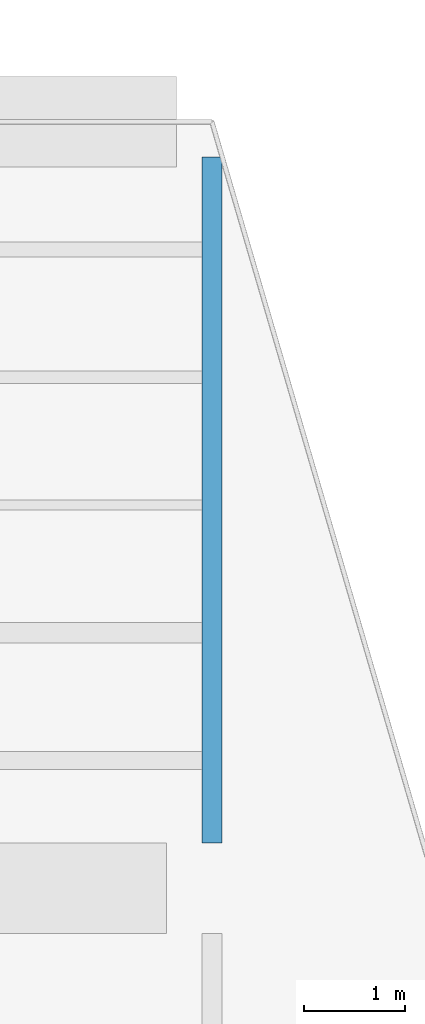
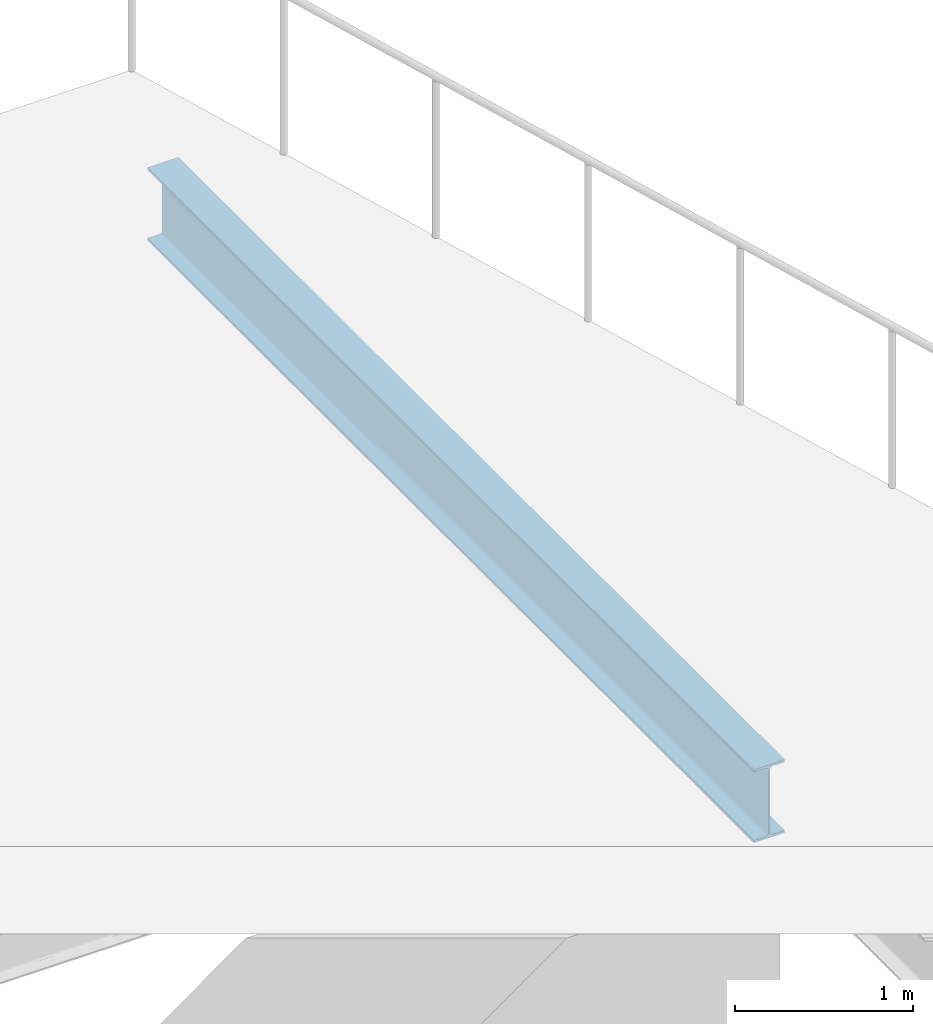
# One storey, part 42 of 135: 1 beam.
"""IFC4 building model written with IfcOpenShell, lengths in metres."""

import ifcopenshell
import ifcopenshell.guid

model = None  # the IFC model being written
_history = None  # IfcOwnerHistory: only IFC2X3 demands one
_inside = {}  # id of a spatial element -> (the spatial element, [elements in it])
_under = {}  # id of a project, library or spatial element -> (it, [spatial elements below it])
_declared = {}  # id of a project -> (the project, [libraries it declares])
_typed = {}  # id of a type object -> (the type object, [elements of that type])
_made_of = {}  # id of a material, layer set ... -> (it, [elements and type objects made of it])


def new_model(schema):
    """Start an empty IFC model of exactly this schema.

    Asked for "IFC4X3", IfcOpenShell would pick the latest addendum, in which some entities
    have other attributes; the version numbers below select the first issue.
    IFC2X3 requires an IfcOwnerHistory on every rooted entity: one is made here for all.
    """
    global model, _history
    if schema == "IFC4X3":
        model = ifcopenshell.file(schema_version=(4, 3, 0, 0))
    else:
        model = ifcopenshell.file(schema=schema)
    _inside.clear()
    _under.clear()
    _declared.clear()
    _typed.clear()
    _made_of.clear()
    _history = None
    if model.schema == "IFC2X3":
        org = make("IfcOrganization", Name="unknown")
        user = make(
            "IfcPersonAndOrganization",
            ThePerson=make("IfcPerson", FamilyName="unknown"),
            TheOrganization=org,
        )
        app = make(
            "IfcApplication",
            ApplicationDeveloper=org,
            Version="unknown",
            ApplicationFullName="unknown",
            ApplicationIdentifier="unknown",
        )
        _history = make(
            "IfcOwnerHistory",
            OwningUser=user,
            OwningApplication=app,
            ChangeAction="ADDED",
            CreationDate=0,
        )
    return model


def make(cls, **values):
    """One entity of the class cls with the attributes given. An attribute that is None is left unset."""
    return model.create_entity(
        cls, **{name: value for name, value in values.items() if value is not None}
    )


def rooted(cls, **values):
    """An entity with a GlobalId (a new one), such as an element, a storey or a relation."""
    return make(cls, GlobalId=ifcopenshell.guid.new(), OwnerHistory=_history, **values)


def si_unit(unit_type, name, prefix=None):
    """IfcSIUnit, for example si_unit("LENGTHUNIT", "METRE", prefix="MILLI")."""
    return make("IfcSIUnit", UnitType=unit_type, Prefix=prefix, Name=name)


def assignment(units):
    """IfcUnitAssignment: the units of a project."""
    return None if units is None else make("IfcUnitAssignment", Units=units)


def point(xyz):
    """IfcCartesianPoint."""
    return None if xyz is None else make("IfcCartesianPoint", Coordinates=xyz)


def direction(xyz):
    """IfcDirection."""
    return None if xyz is None else make("IfcDirection", DirectionRatios=xyz)


def frame(location, z_axis=None, x_axis=None):
    """IfcAxis2Placement3D, a coordinate frame: its origin and axes. An axis left out is left unset."""
    return make(
        "IfcAxis2Placement3D",
        Location=point(location),
        Axis=direction(z_axis),
        RefDirection=direction(x_axis),
    )


def frame_2d(location, x_axis=None):
    """IfcAxis2Placement2D, a coordinate frame in the plane: its origin and x axis."""
    return make(
        "IfcAxis2Placement2D", Location=point(location), RefDirection=direction(x_axis)
    )


def origin():
    """The frame at (0, 0, 0) with its axes left unset."""
    return frame((0.0, 0.0, 0.0))


def origin_2d():
    """The frame at (0, 0) in the plane with its x axis left unset."""
    return frame_2d((0.0, 0.0))


def place(relative_to, where):
    """IfcLocalPlacement: puts the frame where relative to a parent placement (None: the world)."""
    return make(
        "IfcLocalPlacement", PlacementRelTo=relative_to, RelativePlacement=where
    )


def context(
    kind, dimensions, precision=None, world=None, true_north=None, identifier=None
):
    """IfcGeometricRepresentationContext, for example the 3D "Model" context."""
    return make(
        "IfcGeometricRepresentationContext",
        ContextIdentifier=identifier,
        ContextType=kind,
        CoordinateSpaceDimension=dimensions,
        Precision=precision,
        WorldCoordinateSystem=world,
        TrueNorth=true_north,
    )


def subcontext(parent, identifier, kind, view, scale=None):
    """IfcGeometricRepresentationSubContext, for example "Body" below "Model"."""
    return make(
        "IfcGeometricRepresentationSubContext",
        ContextIdentifier=identifier,
        ContextType=kind,
        ParentContext=parent,
        TargetScale=scale,
        TargetView=view,
    )


def project(units=None, contexts=None):
    """IfcProject with its units and contexts."""
    return rooted(
        "IfcProject",
        Name="project",
        RepresentationContexts=contexts,
        UnitsInContext=assignment(units),
    )


def spatial(cls, under=None, at=None, **own):
    """A site, building, storey or space (cls), placed at a placement, below another one or the project."""
    s = rooted(cls, ObjectPlacement=at, **own)
    if under is not None:
        _under.setdefault(under.id(), (under, []))[1].append(s)
    return s


def profile(cls, at=None, kind="AREA", **sizes):
    """A parametric profile (cls). Its sizes go by their IFC names, for example OverallWidth=200.0."""
    return make(cls, ProfileType=kind, Position=at, **sizes)


def i_section(**sizes):
    """IfcIShapeProfileDef."""
    return profile("IfcIShapeProfileDef", **sizes)


def extrude(swept, where, along, depth):
    """IfcExtrudedAreaSolid: the profile swept, set in the frame where, extruded along a direction by depth."""
    return make(
        "IfcExtrudedAreaSolid",
        SweptArea=swept,
        Position=where,
        ExtrudedDirection=direction(along),
        Depth=depth,
    )


def shape(context_of_items, identifier, shape_type, items):
    """IfcShapeRepresentation: the items that make up one representation, for example the "Body"."""
    return make(
        "IfcShapeRepresentation",
        ContextOfItems=context_of_items,
        RepresentationIdentifier=identifier,
        RepresentationType=shape_type,
        Items=items,
    )


def material(Name=None, Category=None):
    """IfcMaterial."""
    return make("IfcMaterial", Name=Name, Category=Category)


def material_profile(
    of_material, cross_section, Name=None, Category=None, Priority=None
):
    """IfcMaterialProfile: a cross section and its material."""
    return make(
        "IfcMaterialProfile",
        Name=Name,
        Material=of_material,
        Profile=cross_section,
        Priority=Priority,
        Category=Category,
    )


def profile_set(profiles, Name=None, composite=None):
    """IfcMaterialProfileSet."""
    return make(
        "IfcMaterialProfileSet",
        Name=Name,
        MaterialProfiles=profiles,
        CompositeProfile=composite,
    )


def made_of(thing, what):
    """Note that an element or type object is made of a material, layer set ...; save() writes the relation."""
    if what is not None:
        _made_of.setdefault(what.id(), (what, []))[1].append(thing)
    return thing


def type_object(cls, material=None, **own):
    """A type object (cls), such as IfcWallType, which elements share."""
    return made_of(rooted(cls, **own), material)


def element(
    cls,
    number,
    at=None,
    inside=None,
    cuts=None,
    type_object=None,
    material=None,
    context=None,
    identifier="Body",
    shape_type=None,
    held_by="IfcProductDefinitionShape",
    body=None,
    shapes=None,
    **own,
):
    """One element of the class cls, such as IfcWall. Its Tag is "e" and its number.

    at: its placement. inside: the storey or other place that contains it. cuts: it is an
    opening in that element (IfcRelVoidsElement). A single representation is given by context,
    identifier, shape_type and body (its items); several are given by shapes. held_by: the class
    of the entity that holds the representations. save() writes the other relations.
    """
    e = rooted(cls, Tag="e%d" % number, ObjectPlacement=at, **own)
    if body is not None:
        shapes = [shape(context, identifier, shape_type, body)]
    if shapes is not None:
        e.Representation = make(held_by, Representations=shapes)
    if inside is not None:
        _inside.setdefault(inside.id(), (inside, []))[1].append(e)
    if cuts is not None:
        rooted(
            "IfcRelVoidsElement", RelatingBuildingElement=cuts, RelatedOpeningElement=e
        )
    if type_object is not None:
        _typed.setdefault(type_object.id(), (type_object, []))[1].append(e)
    return made_of(e, material)


def aggregate(whole, parts):
    """IfcRelAggregates: a whole, such as a stair, and the parts it consists of."""
    return rooted("IfcRelAggregates", RelatingObject=whole, RelatedObjects=parts)


def save(model, path):
    """Write the relations noted so far, then the file.

    IfcRelAggregates (storeys below a building ...), IfcRelContainedInSpatialStructure (elements
    in a storey), IfcRelDefinesByType, IfcRelAssociatesMaterial and IfcRelDeclares: one each for
    every whole, place, type object, material and project.
    """
    for whole, parts in _under.values():
        aggregate(whole, parts)
    for where, things in _inside.values():
        rooted(
            "IfcRelContainedInSpatialStructure",
            RelatedElements=things,
            RelatingStructure=where,
        )
    for kind, things in _typed.values():
        rooted("IfcRelDefinesByType", RelatedObjects=things, RelatingType=kind)
    for what, things in _made_of.values():
        rooted("IfcRelAssociatesMaterial", RelatedObjects=things, RelatingMaterial=what)
    for by, libraries in _declared.values():
        rooted("IfcRelDeclares", RelatingContext=by, RelatedDefinitions=libraries)
    model.write(path)


model = new_model("IFC4")

# Units and contexts
model_context = context("Model", 3, precision=1e-05, world=origin(), true_north=direction((0.0, 1.0)))
body_context = subcontext(model_context, "Body", "Model", "MODEL_VIEW")
ifc_project = project(units=[si_unit("LENGTHUNIT", "METRE"), si_unit("AREAUNIT", "SQUARE_METRE"), si_unit("VOLUMEUNIT", "CUBIC_METRE"), si_unit("PLANEANGLEUNIT", "RADIAN"), si_unit("MASSUNIT", "GRAM", prefix="KILO")], contexts=[model_context])

# Site, building, storey
site_placement = place(None, origin())
site = spatial("IfcSite", under=ifc_project, at=site_placement, CompositionType="ELEMENT")
building_placement = place(site_placement, origin())
building = spatial("IfcBuilding", under=site, at=building_placement, Name="Larkvane Passage Sports Hall", CompositionType="ELEMENT")
storey_placement = place(building_placement, frame((0.0, 0.0, 10.800048828125)))
storey = spatial("IfcBuildingStorey", under=building, at=storey_placement, Name="L02", CompositionType="ELEMENT", Elevation=10.800048828125)

# Beam
ifc_material = material(Name="Steel S355JR", Category="steel")
ifc_material_profile = material_profile(ifc_material, i_section(OverallWidth=0.199951171875, OverallDepth=0.5, WebThickness=0.010009765625, FlangeThickness=0.01611328125, FilletRadius=0.01806640625, at=origin_2d()), Name="H-500x200x10x16")
ifc_profile_set = profile_set([ifc_material_profile], Name="Steel S355JR")
beam_type = type_object("IfcBeamType", Name="SP-STL-H500", PredefinedType="SPANDREL", material=ifc_profile_set)
beam_placement = place(storey_placement, frame((145.60009765625, 92.050048828125, -0.670166015625), z_axis=(0.0, 1.0, 0.0), x_axis=(-1.0, 0.0, 0.0)))
element("IfcBeam", 1, at=beam_placement, inside=storey, type_object=beam_type, Name="Girder BM5-Y-L02-19-0796", PredefinedType="SPANDREL", context=body_context, shape_type="SweptSolid", body=[
    extrude(i_section(OverallWidth=0.199951171875, OverallDepth=0.5, WebThickness=0.010009765625, FlangeThickness=0.01611328125, FilletRadius=0.01806640625, at=origin_2d()), origin(), (0.0, 0.0, 1.0), 6.800048828125),
])

save(model, "model.ifc")
